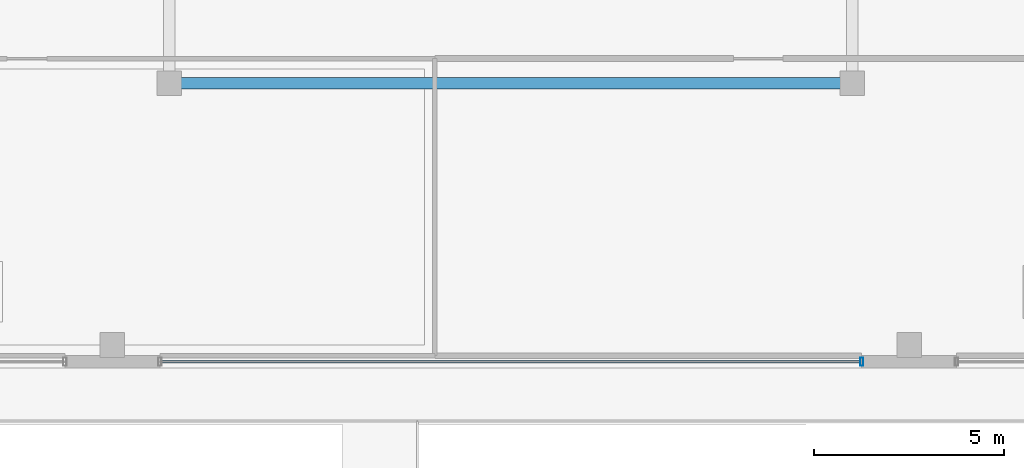
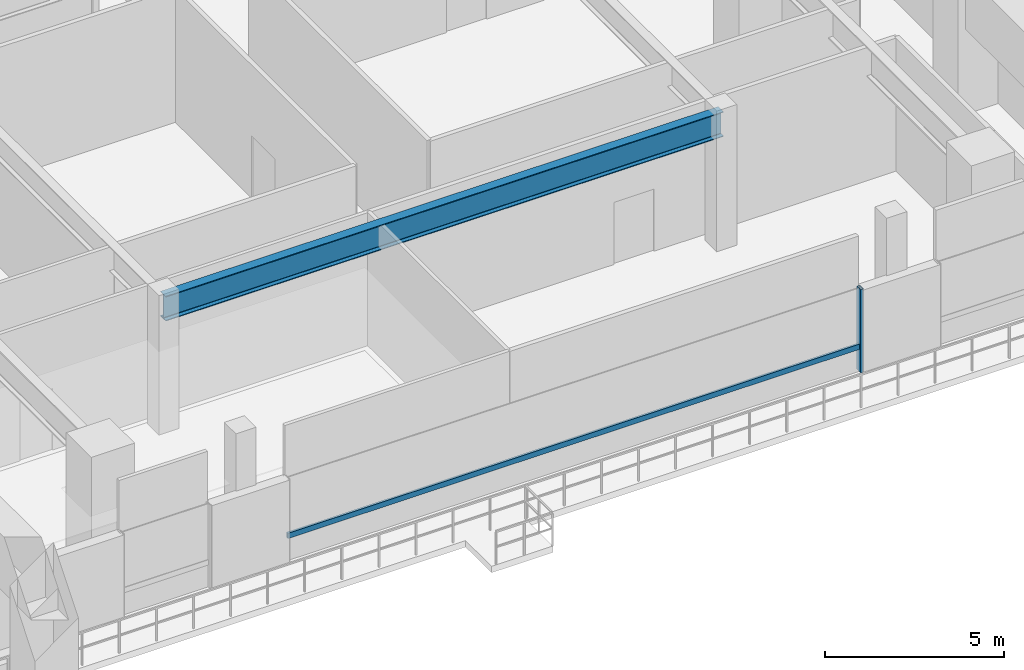
# One storey, part 3 of 25: 2 members, 1 beam, 1 element without a shape of its own.
"""IFC4 building model written with IfcOpenShell, lengths in metres."""

from ifc_helpers import new_model, si_unit, direction, frame, origin, origin_2d, place, context, subcontext, project, spatial, hollow_rectangle, i_section, extrude, material, material_profile, profile_set, type_object, element, aggregate, save


model = new_model("IFC4")

# Units and contexts
model_context = context("Model", 3, precision=1e-05, world=origin(), true_north=direction((0.0, 1.0)))
body_context = subcontext(model_context, "Body", "Model", "MODEL_VIEW")
ifc_project = project(units=[si_unit("LENGTHUNIT", "METRE"), si_unit("AREAUNIT", "SQUARE_METRE"), si_unit("VOLUMEUNIT", "CUBIC_METRE"), si_unit("PLANEANGLEUNIT", "RADIAN"), si_unit("MASSUNIT", "GRAM", prefix="KILO")], contexts=[model_context])

# Site, building, storey
site_placement = place(None, origin())
site = spatial("IfcSite", under=ifc_project, at=site_placement, CompositionType="ELEMENT")
building_placement = place(site_placement, origin())
building = spatial("IfcBuilding", under=site, at=building_placement, Name="Thornwick Lancets Civic Towers", CompositionType="ELEMENT")
storey_placement = place(building_placement, frame((0.0, 0.0, 23.10009765625)))
storey = spatial("IfcBuildingStorey", under=building, at=storey_placement, Name="L05", CompositionType="ELEMENT", Elevation=23.10009765625)

# Beam
ifc_material_1 = material(Name="Steel S355JR", Category="steel")
ifc_material_profile_1 = material_profile(ifc_material_1, i_section(OverallWidth=0.293701171875, OverallDepth=0.850830078125, WebThickness=0.01611328125, FlangeThickness=0.02685546875, FilletRadius=0.017822265625, at=origin_2d()), Name="UKB 838x292x226")
ifc_profile_set_1 = profile_set([ifc_material_profile_1], Name="Steel S355JR")
beam_type = type_object("IfcBeamType", Name="BM_POD_838_226", PredefinedType="BEAM", material=ifc_profile_set_1)
beam_placement = place(storey_placement, frame((48.0, 19.5, 4.134521484375), z_axis=(1.0, 0.0, 0.0), x_axis=(0.0, 1.0, 0.0)))
element("IfcBeam", 1, at=beam_placement, inside=storey, type_object=beam_type, Name="BM-PODG-L05-7-8", PredefinedType="BEAM", context=body_context, shape_type="SweptSolid", body=[
    extrude(i_section(OverallWidth=0.293701171875, OverallDepth=0.850830078125, WebThickness=0.01611328125, FlangeThickness=0.02685546875, FilletRadius=0.017822265625, at=origin_2d()), origin(), (0.0, 0.0, 1.0), 18.0),
])

# Curtain wall, members
ifc_material_2 = material(Name="Terracotta-trimmed cascading podium ribbon curtain wall", Category="masonry")
curtain_wall_type = type_object("IfcCurtainWallType", Name="CW_SYS_02", PredefinedType="NOTDEFINED", material=ifc_material_2)
curtain_wall_placement = place(storey_placement, origin())
curtain_wall = element("IfcCurtainWall", 2, at=curtain_wall_placement, inside=storey, type_object=curtain_wall_type, Name="L05 Curtain Wall CW-L05-POD-SC-S2", PredefinedType="NOTDEFINED")
ifc_material_3 = material(Name="Thermally broken bronze aluminium S355", Category="steel")
ifc_material_profile_2 = material_profile(ifc_material_3, hollow_rectangle(XDim=0.090087890625, YDim=0.219970703125, WallThickness=0.00634765625, at=origin_2d()), Name="RHS 220x90x6.3")
ifc_profile_set_2 = profile_set([ifc_material_profile_2], Name="Thermally broken bronze aluminium S355")
member_type_1 = type_object("IfcMemberType", Name="CW_MUL_220", PredefinedType="MULLION", material=ifc_profile_set_2)
member_1_placement = place(storey_placement, frame((66.25, 12.159912109375, 0.0), z_axis=(0.0, 0.0, 1.0), x_axis=(1.0, 0.0, 0.0)))
member_1 = element("IfcMember", 3, at=member_1_placement, type_object=member_type_1, Name="CW-L05-POD-SC-S2 Mullion 1", PredefinedType="MULLION", context=body_context, shape_type="SweptSolid", body=[
    extrude(hollow_rectangle(XDim=0.090087890625, YDim=0.219970703125, WallThickness=0.00634765625, at=origin_2d()), origin(), (0.0, 0.0, 1.0), 2.83984375),
])
ifc_material_profile_3 = material_profile(ifc_material_3, hollow_rectangle(XDim=0.074951171875, YDim=0.179931640625, WallThickness=0.006103515625, at=origin_2d()), Name="RHS 180x75x6")
ifc_profile_set_3 = profile_set([ifc_material_profile_3], Name="Thermally broken bronze aluminium S355")
member_type_2 = type_object("IfcMemberType", Name="CW_TRN_180", PredefinedType="USERDEFINED", material=ifc_profile_set_3)
member_2_placement = place(storey_placement, frame((47.77001953125, 12.159912109375, 0.849853515625), z_axis=(1.0, 0.0, 0.0), x_axis=(0.0, 1.0, 0.0)))
member_2 = element("IfcMember", 4, at=member_2_placement, type_object=member_type_2, Name="CW-L05-POD-SC-S2 Transom 0", ObjectType="TRANSOM", PredefinedType="USERDEFINED", context=body_context, shape_type="SweptSolid", body=[
    extrude(hollow_rectangle(XDim=0.074951171875, YDim=0.179931640625, WallThickness=0.006103515625, at=origin_2d()), origin(), (0.0, 0.0, 1.0), 18.4599609375),
])
aggregate(curtain_wall, [member_1, member_2])

save(model, "model.ifc")
